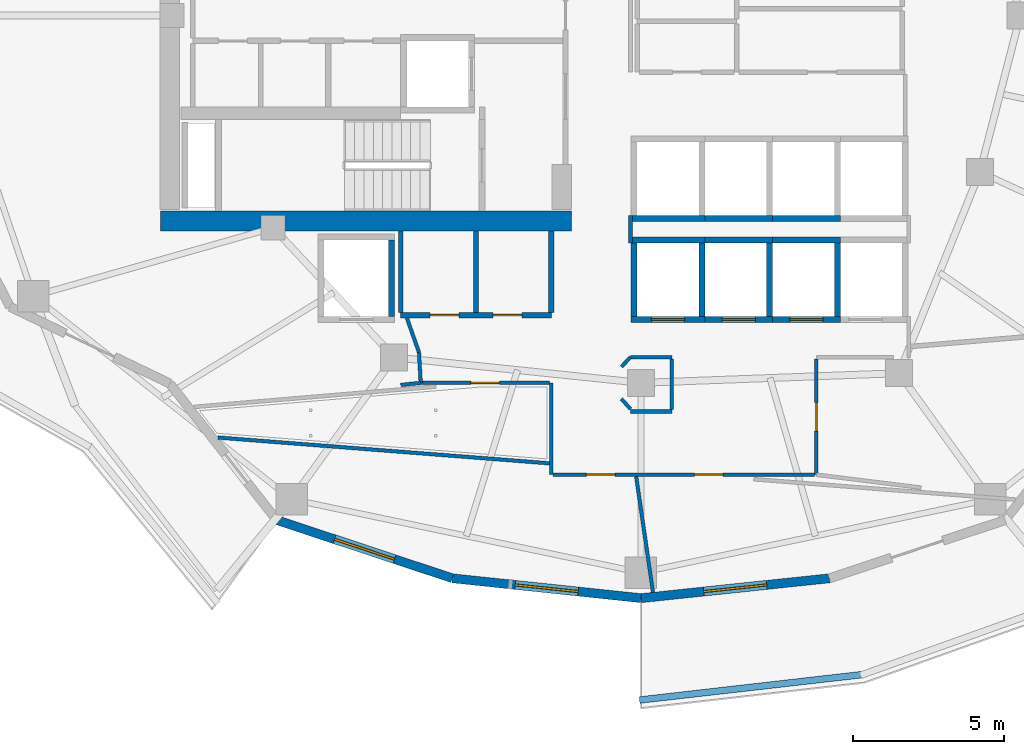
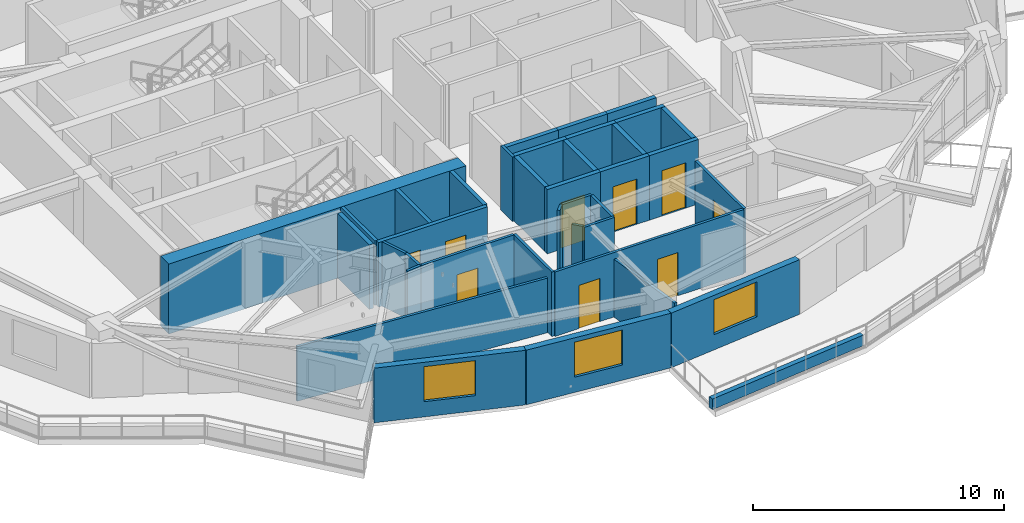
# One storey, part 6 of 18: 38 walls, 9 doors, 3 windows, 12 openings.
"""IFC4 building model written with IfcOpenShell, lengths in metres."""

from ifc_helpers import new_model, si_unit, direction, frame, frame_2d, origin, place, context, subcontext, project, spatial, rectangle, extrude, material, layer, layer_set, type_object, element, fill, save


model = new_model("IFC4")

# Units and contexts
model_context = context("Model", 3, precision=1e-05, world=origin(), true_north=direction((0.0, 1.0)))
body_context = subcontext(model_context, "Body", "Model", "MODEL_VIEW")
ifc_project = project(units=[si_unit("LENGTHUNIT", "METRE"), si_unit("AREAUNIT", "SQUARE_METRE"), si_unit("VOLUMEUNIT", "CUBIC_METRE"), si_unit("PLANEANGLEUNIT", "RADIAN"), si_unit("MASSUNIT", "GRAM", prefix="KILO")], contexts=[model_context])

# Site, building, storey
site_placement = place(None, origin())
site = spatial("IfcSite", under=ifc_project, at=site_placement, CompositionType="ELEMENT")
building_placement = place(site_placement, origin())
building = spatial("IfcBuilding", under=site, at=building_placement, Name="Kolvaren Gate Tower and Convention Centre", CompositionType="ELEMENT")
storey_placement = place(building_placement, frame((0.0, 0.0, 135.89990234375)))
storey = spatial("IfcBuildingStorey", under=building, at=storey_placement, Name="L34", CompositionType="ELEMENT", Elevation=135.89990234375)

# Wall, openings, doors
ifc_material_1 = material(Name="Autoclaved Aerated Masonry Blockwork Class 4 (4.0 MPa)", Category="masonry")
ifc_layer_1 = layer(ifc_material_1, 0.179931640625)
ifc_layer_set_1 = layer_set([ifc_layer_1], Name="Autoclaved Aerated Masonry Blockwork Class 4 (4.0 MPa)")
wall_type_1 = type_object("IfcWallType", Name="ARCH-WL-COMP-180", PredefinedType="SOLIDWALL", material=ifc_layer_set_1)
wall_1_placement = place(storey_placement, frame((22.14990234375, 17.050048828125, 0.0), z_axis=(0.0, 0.0, 1.0), x_axis=(1.0, 0.0, 0.0)))
wall_1 = element("IfcWall", 1, at=wall_1_placement, inside=storey, type_object=wall_type_1, Name="Interior Partition WL-L34-INT-011", PredefinedType="SOLIDWALL", context=body_context, shape_type="SweptSolid", body=[
    extrude(rectangle(XDim=5.0, YDim=0.179931640625, at=frame_2d((2.5, 0.0))), origin(), (0.0, 0.0, 1.0), 3.130126953125),
])
opening_1_placement = place(wall_1_placement, frame((0.97998046875, 0.0, 0.0)))
opening_1 = element("IfcOpeningElement", 2, at=opening_1_placement, cuts=wall_1, Name="Opening DR-01", PredefinedType="OPENING", context=body_context, shape_type="SweptSolid", body=[
    extrude(rectangle(XDim=0.949951171875, YDim=2.10009765625, at=frame_2d((0.47509765625, 1.050048828125))), frame((0.0, 0.099853515625, 0.0), z_axis=(0.0, -1.0, 0.0), x_axis=(1.0, 0.0, 0.0)), (0.0, 0.0, 1.0), 0.199951171875),
])
opening_2_placement = place(wall_1_placement, frame((3.070068359375, 0.0, 0.0)))
opening_2 = element("IfcOpeningElement", 3, at=opening_2_placement, cuts=wall_1, Name="Opening DR-01", PredefinedType="OPENING", context=body_context, shape_type="SweptSolid", body=[
    extrude(rectangle(XDim=0.949951171875, YDim=2.10009765625, at=frame_2d((0.47509765625, 1.050048828125))), frame((0.0, 0.099853515625, 0.0), z_axis=(0.0, -1.0, 0.0), x_axis=(1.0, 0.0, 0.0)), (0.0, 0.0, 1.0), 0.199951171875),
])
ifc_material_2 = material(Name="Painted Architectural Steelwork ASTM A500 Grade C 345 MPa", Category="steel")
door_type_1 = type_object("IfcDoorType", Name="ARCH-DR-RISER-950", OperationType="SINGLE_SWING_RIGHT", PredefinedType="DOOR", material=ifc_material_2)
door_1_placement = place(opening_1_placement, origin())
door_1 = element("IfcDoor", 4, at=door_1_placement, inside=storey, type_object=door_type_1, Name="West Valet Store Door", OperationType="SINGLE_SWING_RIGHT", OverallHeight=2.10009765625, OverallWidth=0.949951171875, PredefinedType="DOOR", context=body_context, shape_type="SweptSolid", body=[
    extrude(rectangle(XDim=0.949951171875, YDim=2.10009765625, at=frame_2d((0.47509765625, 1.050048828125))), frame((0.0, 0.02490234375, 0.0), z_axis=(0.0, -1.0, 0.0), x_axis=(1.0, 0.0, 0.0)), (0.0, 0.0, 1.0), 0.050048828125),
])
fill(opening_1, door_1)
door_2_placement = place(opening_2_placement, origin())
door_2 = element("IfcDoor", 5, at=door_2_placement, inside=storey, type_object=door_type_1, Name="Metering Switch Room Door", OperationType="SINGLE_SWING_LEFT", OverallHeight=2.10009765625, OverallWidth=0.949951171875, PredefinedType="DOOR", context=body_context, shape_type="SweptSolid", body=[
    extrude(rectangle(XDim=0.949951171875, YDim=2.10009765625, at=frame_2d((0.47509765625, 1.050048828125))), frame((0.0, 0.02490234375, 0.0), z_axis=(0.0, -1.0, 0.0), x_axis=(1.0, 0.0, 0.0)), (0.0, 0.0, 1.0), 0.050048828125),
])
fill(opening_2, door_2)

# Walls
for number, where, z_axis, x_axis, name in (
    (6, (24.64990234375, 17.14208984375, 0.0), (0.0, 0.0, 1.0), (0.0, 1.0, 0.0), "Interior Partition WL-L34-INT-013"),
    (7, (27.14990234375, 17.14208984375, 0.0), (0.0, 0.0, 1.0), (0.0, 1.0, 0.0), "Interior Partition WL-L34-INT-015"),
):
    element("IfcWall", number, at=place(storey_placement, frame(where, z_axis=z_axis, x_axis=x_axis)), inside=storey, type_object=wall_type_1, Name=name, PredefinedType="SOLIDWALL", context=body_context, shape_type="SweptSolid", body=[
        extrude(rectangle(XDim=2.705810546875, YDim=0.179931640625, at=frame_2d((1.35302734375, 0.0))), origin(), (0.0, 0.0, 1.0), 3.130126953125),
    ])
ifc_material_3 = material(Name="Fire-Rated Acoustic Gypsum Stud Partition", Category="gypsum")
ifc_layer_2 = layer(ifc_material_3, 0.1201171875)
ifc_layer_set_2 = layer_set([ifc_layer_2], Name="Fire-Rated Acoustic Gypsum Stud Partition")
wall_type_2 = type_object("IfcWallType", Name="ARCH-WL-PART-120", PredefinedType="PARTITIONING", material=ifc_layer_set_2)
wall_2_placement = place(storey_placement, frame((27.14990234375, 11.75, 0.0), z_axis=(0.0, 0.0, 1.0), x_axis=(0.0, 1.0, 0.0)))
element("IfcWall", 8, at=wall_2_placement, inside=storey, type_object=wall_type_2, Name="Interior Partition WL-L34-INT-014", PredefinedType="PARTITIONING", context=body_context, shape_type="SweptSolid", body=[
    extrude(rectangle(XDim=3.050048828125, YDim=0.1201171875, at=frame_2d((1.52490234375, 0.0))), origin(), (0.0, 0.0, 1.0), 3.130126953125),
])
wall_3_placement = place(storey_placement, frame((29.780029296875, 15.64990234375, 0.0), z_axis=(0.0, 0.0, 1.0), x_axis=(1.0, 0.0, 0.0)))
element("IfcWall", 9, at=wall_3_placement, inside=storey, type_object=wall_type_2, Name="Interior Partition WL-L34-INT-030", PredefinedType="PARTITIONING", context=body_context, shape_type="SweptSolid", body=[
    extrude(rectangle(XDim=1.369873046875, YDim=0.1201171875, at=frame_2d((0.68505859375, 0.0))), origin(), (0.0, 0.0, 1.0), 3.130126953125),
])

# Wall, opening, door
wall_4_placement = place(storey_placement, frame((35.949951171875, 11.75, 0.0), z_axis=(0.0, 0.0, 1.0), x_axis=(0.0, 1.0, 0.0)))
wall_4 = element("IfcWall", 10, at=wall_4_placement, inside=storey, type_object=wall_type_2, Name="Interior Partition WL-L34-INT-032", PredefinedType="PARTITIONING", context=body_context, shape_type="SweptSolid", body=[
    extrude(rectangle(XDim=3.837890625, YDim=0.1201171875, at=frame_2d((1.9189453125, 0.0))), origin(), (0.0, 0.0, 1.0), 3.130126953125),
])
opening_3_placement = place(wall_4_placement, frame((1.444091796875, 0.0, 0.0)))
opening_3 = element("IfcOpeningElement", 11, at=opening_3_placement, cuts=wall_4, Name="Opening DR-01", PredefinedType="OPENING", context=body_context, shape_type="SweptSolid", body=[
    extrude(rectangle(XDim=0.949951171875, YDim=2.10009765625, at=frame_2d((0.47509765625, 1.050048828125))), frame((0.0, 0.070068359375, 0.0), z_axis=(0.0, -1.0, 0.0), x_axis=(1.0, 0.0, 0.0)), (0.0, 0.0, 1.0), 0.14013671875),
])
door_3_placement = place(opening_3_placement, origin())
door_3 = element("IfcDoor", 12, at=door_3_placement, inside=storey, type_object=door_type_1, Name="Atrium Concierge Reception Door", OperationType="SINGLE_SWING_LEFT", OverallHeight=2.10009765625, OverallWidth=0.949951171875, PredefinedType="DOOR", context=body_context, shape_type="SweptSolid", body=[
    extrude(rectangle(XDim=0.949951171875, YDim=2.10009765625, at=frame_2d((0.47509765625, 1.050048828125))), frame((0.0, 0.02490234375, 0.0), z_axis=(0.0, -1.0, 0.0), x_axis=(1.0, 0.0, 0.0)), (0.0, 0.0, 1.0), 0.050048828125),
])
fill(opening_3, door_3)

# Wall, openings, doors
wall_5_placement = place(storey_placement, frame((27.2119140625, 11.75, 0.0), z_axis=(0.0, 0.0, 1.0), x_axis=(1.0, 0.0, 0.0)))
wall_5 = element("IfcWall", 13, at=wall_5_placement, inside=storey, type_object=wall_type_2, Name="Interior Partition WL-L34-INT-033", PredefinedType="PARTITIONING", context=body_context, shape_type="SweptSolid", body=[
    extrude(rectangle(XDim=8.676025390625, YDim=0.1201171875, at=frame_2d((4.337890625, 0.0))), origin(), (0.0, 0.0, 1.0), 3.130126953125),
])
opening_4_placement = place(wall_5_placement, frame((1.105224609375, 0.0, 0.0)))
opening_4 = element("IfcOpeningElement", 14, at=opening_4_placement, cuts=wall_5, Name="Opening DR-01", PredefinedType="OPENING", context=body_context, shape_type="SweptSolid", body=[
    extrude(rectangle(XDim=0.949951171875, YDim=2.10009765625, at=frame_2d((0.47509765625, 1.050048828125))), frame((0.0, 0.070068359375, 0.0), z_axis=(0.0, -1.0, 0.0), x_axis=(1.0, 0.0, 0.0)), (0.0, 0.0, 1.0), 0.14013671875),
])
opening_5_placement = place(wall_5_placement, frame((4.697509765625, 0.0, 0.0)))
opening_5 = element("IfcOpeningElement", 15, at=opening_5_placement, cuts=wall_5, Name="Opening DR-01", PredefinedType="OPENING", context=body_context, shape_type="SweptSolid", body=[
    extrude(rectangle(XDim=0.949951171875, YDim=2.10009765625, at=frame_2d((0.47509765625, 1.050048828125))), frame((0.0, 0.070068359375, 0.0), z_axis=(0.0, -1.0, 0.0), x_axis=(1.0, 0.0, 0.0)), (0.0, 0.0, 1.0), 0.14013671875),
])
door_4_placement = place(opening_4_placement, origin())
door_4 = element("IfcDoor", 16, at=door_4_placement, inside=storey, type_object=door_type_1, Name="Atrium Concierge Reception Door", OperationType="SINGLE_SWING_LEFT", OverallHeight=2.10009765625, OverallWidth=0.949951171875, PredefinedType="DOOR", context=body_context, shape_type="SweptSolid", body=[
    extrude(rectangle(XDim=0.949951171875, YDim=2.10009765625, at=frame_2d((0.47509765625, 1.050048828125))), frame((0.0, 0.02490234375, 0.0), z_axis=(0.0, -1.0, 0.0), x_axis=(1.0, 0.0, 0.0)), (0.0, 0.0, 1.0), 0.050048828125),
])
fill(opening_4, door_4)
door_5_placement = place(opening_5_placement, origin())
door_5 = element("IfcDoor", 17, at=door_5_placement, inside=storey, type_object=door_type_1, Name="Hotel Sky Banquet Salon Door", OperationType="SINGLE_SWING_RIGHT", OverallHeight=2.10009765625, OverallWidth=0.949951171875, PredefinedType="DOOR", context=body_context, shape_type="SweptSolid", body=[
    extrude(rectangle(XDim=0.949951171875, YDim=2.10009765625, at=frame_2d((0.47509765625, 1.050048828125))), frame((0.0, 0.02490234375, 0.0), z_axis=(0.0, -1.0, 0.0), x_axis=(1.0, 0.0, 0.0)), (0.0, 0.0, 1.0), 0.050048828125),
])
fill(opening_5, door_5)

# Wall, opening, door
wall_6_placement = place(storey_placement, frame((22.81396484375, 14.800048828125, 0.0), z_axis=(0.0, 0.0, 1.0), x_axis=(1.0, 0.0, 0.0)))
wall_6 = element("IfcWall", 18, at=wall_6_placement, inside=storey, type_object=wall_type_2, Name="Interior Partition WL-L34-INT-034", PredefinedType="PARTITIONING", context=body_context, shape_type="SweptSolid", body=[
    extrude(rectangle(XDim=4.27392578125, YDim=0.1201171875, at=frame_2d((2.136962890625, 0.0))), origin(), (0.0, 0.0, 1.0), 3.130126953125),
])
opening_6_placement = place(wall_6_placement, frame((1.662109375, 0.0, 0.0)))
opening_6 = element("IfcOpeningElement", 19, at=opening_6_placement, cuts=wall_6, Name="Opening DR-01", PredefinedType="OPENING", context=body_context, shape_type="SweptSolid", body=[
    extrude(rectangle(XDim=0.949951171875, YDim=2.10009765625, at=frame_2d((0.47509765625, 1.050048828125))), frame((0.0, 0.070068359375, 0.0), z_axis=(0.0, -1.0, 0.0), x_axis=(1.0, 0.0, 0.0)), (0.0, 0.0, 1.0), 0.14013671875),
])
door_6_placement = place(opening_6_placement, origin())
door_6 = element("IfcDoor", 20, at=door_6_placement, inside=storey, type_object=door_type_1, Name="Hotel Sky Banquet Salon Door", OperationType="SINGLE_SWING_RIGHT", OverallHeight=2.10009765625, OverallWidth=0.949951171875, PredefinedType="DOOR", context=body_context, shape_type="SweptSolid", body=[
    extrude(rectangle(XDim=0.949951171875, YDim=2.10009765625, at=frame_2d((0.47509765625, 1.050048828125))), frame((0.0, 0.02490234375, 0.0), z_axis=(0.0, -1.0, 0.0), x_axis=(1.0, 0.0, 0.0)), (0.0, 0.0, 1.0), 0.050048828125),
])
fill(opening_6, door_6)

# Walls
wall_7_placement = place(storey_placement, frame((22.756103515625, 15.81103515625, 0.0), z_axis=(0.0, 0.0, 1.0), x_axis=(0.057139047697, -0.998366230012, 0.0)))
element("IfcWall", 21, at=wall_7_placement, inside=storey, type_object=wall_type_2, Name="Interior Partition WL-L34-INT-036", PredefinedType="PARTITIONING", context=body_context, shape_type="SweptSolid", body=[
    extrude(rectangle(XDim=1.0126953125, YDim=0.1201171875, at=frame_2d((0.50634765625, 0.0))), origin(), (0.0, 0.0, 1.0), 3.130126953125),
])
wall_8_placement = place(storey_placement, frame((22.353271484375, 16.9580078125, 0.0), z_axis=(0.0, 0.0, 1.0), x_axis=(0.331370038458, -0.943500873138, 0.0)))
element("IfcWall", 22, at=wall_8_placement, inside=storey, type_object=wall_type_2, Name="Interior Partition WL-L34-INT-037", PredefinedType="PARTITIONING", context=body_context, shape_type="SweptSolid", body=[
    extrude(rectangle(XDim=1.215576171875, YDim=0.1201171875, at=frame_2d((0.60791015625, 0.0))), origin(), (0.0, 0.0, 1.0), 3.130126953125),
])
wall_9_placement = place(storey_placement, frame((29.780029296875, 19.43994140625, 0.0), z_axis=(0.0, 0.0, 1.0), x_axis=(0.0, 1.0, 0.0)))
element("IfcWall", 23, at=wall_9_placement, inside=storey, type_object=wall_type_2, Name="Interior Partition WL-L34-INT-040", PredefinedType="PARTITIONING", context=body_context, shape_type="SweptSolid", body=[
    extrude(rectangle(XDim=0.920166015625, YDim=0.1201171875, at=frame_2d((0.4599609375, 0.0))), origin(), (0.0, 0.0, 1.0), 3.130126953125),
])
wall_10_placement = place(storey_placement, frame((29.47607421875, 15.3330078125, 0.0), z_axis=(0.0, 0.0, 1.0), x_axis=(0.692219273951, 0.721687243043, 0.0)))
element("IfcWall", 24, at=wall_10_placement, inside=storey, type_object=wall_type_2, Name="Interior Partition WL-L34-INT-056", PredefinedType="PARTITIONING", context=body_context, shape_type="SweptSolid", body=[
    extrude(rectangle(XDim=0.439208984375, YDim=0.1201171875, at=frame_2d((0.2197265625, 0.0))), origin(), (0.0, 0.0, 1.0), 3.130126953125),
])
wall_11_placement = place(storey_placement, frame((29.47607421875, 14.26708984375, 0.0), z_axis=(0.0, 0.0, 1.0), x_axis=(0.670659392016, -0.741765448037, 0.0)))
element("IfcWall", 25, at=wall_11_placement, inside=storey, type_object=wall_type_2, Name="Interior Partition WL-L34-INT-057", PredefinedType="PARTITIONING", context=body_context, shape_type="SweptSolid", body=[
    extrude(rectangle(XDim=0.453125, YDim=0.1201171875, at=frame_2d((0.2265625, 0.0))), origin(), (0.0, 0.0, 1.0), 3.130126953125),
])
wall_12_placement = place(storey_placement, frame((29.780029296875, 13.85009765625, 0.0), z_axis=(0.0, 0.0, 1.0), x_axis=(1.0, 0.0, 0.0)))
element("IfcWall", 26, at=wall_12_placement, inside=storey, type_object=wall_type_2, Name="Interior Partition WL-L34-INT-058", PredefinedType="PARTITIONING", context=body_context, shape_type="SweptSolid", body=[
    extrude(rectangle(XDim=1.369873046875, YDim=0.1201171875, at=frame_2d((0.68505859375, 0.0))), origin(), (0.0, 0.0, 1.0), 3.130126953125),
])
wall_13_placement = place(storey_placement, frame((31.14990234375, 13.912109375, 0.0), z_axis=(0.0, 0.0, 1.0), x_axis=(0.0, 1.0, 0.0)))
element("IfcWall", 27, at=wall_13_placement, inside=storey, type_object=wall_type_2, Name="Interior Partition WL-L34-INT-059", PredefinedType="PARTITIONING", context=body_context, shape_type="SweptSolid", body=[
    extrude(rectangle(XDim=1.67578125, YDim=0.1201171875, at=frame_2d((0.837890625, 0.0))), origin(), (0.0, 0.0, 1.0), 3.130126953125),
])
wall_14_placement = place(storey_placement, frame((16.07763671875, 12.984619140625, 0.0), z_axis=(0.0, 0.0, 1.0), x_axis=(0.996984897733, -0.077595835537, 0.0)))
element("IfcWall", 28, at=wall_14_placement, inside=storey, type_object=wall_type_2, Name="Interior Partition WL-L34-INT-062", PredefinedType="PARTITIONING", context=body_context, shape_type="SweptSolid", body=[
    extrude(rectangle(XDim=11.04345703125, YDim=0.1201171875, at=frame_2d((5.521728515625, 0.0))), origin(), (0.0, 0.0, 1.0), 2.653076171875),
])
wall_15_placement = place(storey_placement, frame((29.968994140625, 11.68798828125, 0.0), z_axis=(0.0, 0.0, 1.0), x_axis=(0.143603994305, -0.989635232204, 0.0)))
element("IfcWall", 29, at=wall_15_placement, inside=storey, type_object=wall_type_2, Name="Interior Partition WL-L34-INT-064", PredefinedType="PARTITIONING", context=body_context, shape_type="SweptSolid", body=[
    extrude(rectangle(XDim=3.883056640625, YDim=0.1201171875, at=frame_2d((1.94140625, 0.0))), origin(), (0.0, 0.0, 1.0), 2.81201171875),
])
wall_16_placement = place(storey_placement, frame((22.15087890625, 14.729736328125, 0.0), z_axis=(0.0, 0.0, 1.0), x_axis=(0.994424911767, 0.105447118774, 0.0)))
element("IfcWall", 30, at=wall_16_placement, inside=storey, type_object=wall_type_2, Name="Interior Partition WL-L34-INT-085", PredefinedType="PARTITIONING", context=body_context, shape_type="SweptSolid", body=[
    extrude(rectangle(XDim=0.666748046875, YDim=0.1201171875, at=frame_2d((0.33349609375, 0.0))), origin(), (0.0, 0.0, 1.0), 3.130126953125),
])
ifc_material_4 = material(Name="Piedmont Cream Honed Limestone Cladding", Category="masonry")
ifc_layer_3 = layer(ifc_material_4, 0.219970703125)
ifc_layer_set_3 = layer_set([ifc_layer_3], Name="Piedmont Cream Honed Limestone Cladding")
wall_type_3 = type_object("IfcWallType", Name="ARCH-WL-PLANTER-220", PredefinedType="PARAPET", material=ifc_layer_set_3)
wall_17_placement = place(storey_placement, frame((30.07958984375, 4.266357421875, 0.0), z_axis=(0.0, 0.0, 1.0), x_axis=(0.993527615836, 0.11359082961, 0.0)))
element("IfcWall", 31, at=wall_17_placement, inside=storey, type_object=wall_type_3, Name="Vertical-Forest Balcony Stone Planter Kerb PK-L34-3.1", PredefinedType="PARAPET", context=body_context, shape_type="SweptSolid", body=[
    extrude(rectangle(XDim=7.470947265625, YDim=0.219970703125, at=frame_2d((3.7353515625, 0.0))), origin(), (0.0, 0.0, 1.0), 0.52001953125),
])
ifc_layer_4 = layer(ifc_material_1, 0.199951171875)
ifc_layer_set_4 = layer_set([ifc_layer_4], Name="Autoclaved Aerated Masonry Blockwork Class 4 (4.0 MPa)")
wall_type_4 = type_object("IfcWallType", Name="ARCH-WL-SHAFT-200", PredefinedType="SOLIDWALL", material=ifc_layer_set_4)
wall_18_placement = place(storey_placement, frame((21.85009765625, 17.010009765625, 0.0), z_axis=(0.0, 0.0, 1.0), x_axis=(0.0, 1.0, 0.0)))
element("IfcWall", 32, at=wall_18_placement, inside=storey, type_object=wall_type_4, Name="Elevator SV-01 L34 Fire Shaft Wall E", PredefinedType="SOLIDWALL", context=body_context, shape_type="SweptSolid", body=[
    extrude(rectangle(XDim=2.530029296875, YDim=0.199951171875, at=frame_2d((1.26513671875, 0.0))), origin(), (0.0, 0.0, 1.0), 3.130126953125),
])
wall_19_placement = place(storey_placement, frame((29.800048828125, 19.550048828125, 0.0), z_axis=(0.0, 0.0, 1.0), x_axis=(1.0, 0.0, 0.0)))
element("IfcWall", 33, at=wall_19_placement, inside=storey, type_object=wall_type_4, Name="Elevator PL-05 L34 Fire Shaft Wall N", PredefinedType="SOLIDWALL", context=body_context, shape_type="SweptSolid", body=[
    extrude(rectangle(XDim=2.449951171875, YDim=0.199951171875, at=frame_2d((1.22509765625, 0.0))), origin(), (0.0, 0.0, 1.0), 3.130126953125),
])

# Wall, opening, door
wall_20_placement = place(storey_placement, frame((29.800048828125, 16.89990234375, 0.0), z_axis=(0.0, 0.0, 1.0), x_axis=(1.0, 0.0, 0.0)))
wall_20 = element("IfcWall", 34, at=wall_20_placement, inside=storey, type_object=wall_type_4, Name="Elevator PL-05 L34 Fire Shaft Wall S", PredefinedType="SOLIDWALL", context=body_context, shape_type="SweptSolid", body=[
    extrude(rectangle(XDim=2.449951171875, YDim=0.199951171875, at=frame_2d((1.22509765625, 0.0))), origin(), (0.0, 0.0, 1.0), 3.130126953125),
])
opening_7_placement = place(wall_20_placement, frame((0.675048828125, 0.0, 0.0)))
opening_7 = element("IfcOpeningElement", 35, at=opening_7_placement, cuts=wall_20, Name="Opening LD", PredefinedType="OPENING", context=body_context, shape_type="SweptSolid", body=[
    extrude(rectangle(XDim=1.10009765625, YDim=2.199951171875, at=frame_2d((0.550048828125, 1.10009765625))), frame((0.0, 0.10986328125, 0.0), z_axis=(0.0, -1.0, 0.0), x_axis=(1.0, 0.0, 0.0)), (0.0, 0.0, 1.0), 0.219970703125),
])
ifc_material_5 = material(Name="Brushed Stainless Steel Grade 316L", Category="steel")
door_type_2 = type_object("IfcDoorType", Name="ARCH-DR-LIFT-1100", OperationType="SLIDING_TO_LEFT", PredefinedType="DOOR", material=ifc_material_5)
door_7_placement = place(opening_7_placement, origin())
door_7 = element("IfcDoor", 36, at=door_7_placement, inside=storey, type_object=door_type_2, Name="Elevator PL-05 L34 Sliding Landing Door", OperationType="SLIDING_TO_LEFT", OverallHeight=2.199951171875, OverallWidth=1.10009765625, PredefinedType="DOOR", context=body_context, shape_type="SweptSolid", body=[
    extrude(rectangle(XDim=1.10009765625, YDim=2.199951171875, at=frame_2d((0.550048828125, 1.10009765625))), frame((0.0, 0.02490234375, 0.0), z_axis=(0.0, -1.0, 0.0), x_axis=(1.0, 0.0, 0.0)), (0.0, 0.0, 1.0), 0.050048828125),
])
fill(opening_7, door_7)

# Walls
for number, where, z_axis, x_axis, name in (
    (37, (29.89990234375, 17.010009765625, 0.0), (0.0, 0.0, 1.0), (0.0, 1.0, 0.0), "Elevator PL-05 L34 Fire Shaft Wall W"),
    (38, (32.14990234375, 17.010009765625, 0.0), (0.0, 0.0, 1.0), (0.0, 1.0, 0.0), "Elevator PL-05 L34 Fire Shaft Wall E"),
):
    element("IfcWall", number, at=place(storey_placement, frame(where, z_axis=z_axis, x_axis=x_axis)), inside=storey, type_object=wall_type_4, Name=name, PredefinedType="SOLIDWALL", context=body_context, shape_type="SweptSolid", body=[
        extrude(rectangle(XDim=2.429931640625, YDim=0.199951171875, at=frame_2d((1.21484375, 0.0))), origin(), (0.0, 0.0, 1.0), 3.130126953125),
    ])
wall_21_placement = place(storey_placement, frame((32.25, 19.550048828125, 0.0), z_axis=(0.0, 0.0, 1.0), x_axis=(1.0, 0.0, 0.0)))
element("IfcWall", 39, at=wall_21_placement, inside=storey, type_object=wall_type_4, Name="Elevator PL-06 L34 Fire Shaft Wall N", PredefinedType="SOLIDWALL", context=body_context, shape_type="SweptSolid", body=[
    extrude(rectangle(XDim=2.25, YDim=0.199951171875, at=frame_2d((1.125, 0.0))), origin(), (0.0, 0.0, 1.0), 3.130126953125),
])

# Wall, opening, door
wall_22_placement = place(storey_placement, frame((32.25, 16.89990234375, 0.0), z_axis=(0.0, 0.0, 1.0), x_axis=(1.0, 0.0, 0.0)))
wall_22 = element("IfcWall", 40, at=wall_22_placement, inside=storey, type_object=wall_type_4, Name="Elevator PL-06 L34 Fire Shaft Wall S", PredefinedType="SOLIDWALL", context=body_context, shape_type="SweptSolid", body=[
    extrude(rectangle(XDim=2.25, YDim=0.199951171875, at=frame_2d((1.125, 0.0))), origin(), (0.0, 0.0, 1.0), 3.130126953125),
])
opening_8_placement = place(wall_22_placement, frame((0.574951171875, 0.0, 0.0)))
opening_8 = element("IfcOpeningElement", 41, at=opening_8_placement, cuts=wall_22, Name="Opening LD", PredefinedType="OPENING", context=body_context, shape_type="SweptSolid", body=[
    extrude(rectangle(XDim=1.10009765625, YDim=2.199951171875, at=frame_2d((0.550048828125, 1.10009765625))), frame((0.0, 0.10986328125, 0.0), z_axis=(0.0, -1.0, 0.0), x_axis=(1.0, 0.0, 0.0)), (0.0, 0.0, 1.0), 0.219970703125),
])
door_8_placement = place(opening_8_placement, origin())
door_8 = element("IfcDoor", 42, at=door_8_placement, inside=storey, type_object=door_type_2, Name="Elevator PL-06 L34 Sliding Landing Door", OperationType="SLIDING_TO_LEFT", OverallHeight=2.199951171875, OverallWidth=1.10009765625, PredefinedType="DOOR", context=body_context, shape_type="SweptSolid", body=[
    extrude(rectangle(XDim=1.10009765625, YDim=2.199951171875, at=frame_2d((0.550048828125, 1.10009765625))), frame((0.0, 0.02490234375, 0.0), z_axis=(0.0, -1.0, 0.0), x_axis=(1.0, 0.0, 0.0)), (0.0, 0.0, 1.0), 0.050048828125),
])
fill(opening_8, door_8)

# Walls
wall_23_placement = place(storey_placement, frame((34.39990234375, 17.010009765625, 0.0), z_axis=(0.0, 0.0, 1.0), x_axis=(0.0, 1.0, 0.0)))
element("IfcWall", 43, at=wall_23_placement, inside=storey, type_object=wall_type_4, Name="Elevator PL-06 L34 Fire Shaft Wall E", PredefinedType="SOLIDWALL", context=body_context, shape_type="SweptSolid", body=[
    extrude(rectangle(XDim=2.429931640625, YDim=0.199951171875, at=frame_2d((1.21484375, 0.0))), origin(), (0.0, 0.0, 1.0), 3.130126953125),
])
wall_24_placement = place(storey_placement, frame((34.5, 19.550048828125, 0.0), z_axis=(0.0, 0.0, 1.0), x_axis=(1.0, 0.0, 0.0)))
element("IfcWall", 44, at=wall_24_placement, inside=storey, type_object=wall_type_4, Name="Elevator PL-07 L34 Fire Shaft Wall N", PredefinedType="SOLIDWALL", context=body_context, shape_type="SweptSolid", body=[
    extrude(rectangle(XDim=2.25, YDim=0.199951171875, at=frame_2d((1.125, 0.0))), origin(), (0.0, 0.0, 1.0), 3.130126953125),
])

# Wall, opening, door
wall_25_placement = place(storey_placement, frame((34.5, 16.89990234375, 0.0), z_axis=(0.0, 0.0, 1.0), x_axis=(1.0, 0.0, 0.0)))
wall_25 = element("IfcWall", 45, at=wall_25_placement, inside=storey, type_object=wall_type_4, Name="Elevator PL-07 L34 Fire Shaft Wall S", PredefinedType="SOLIDWALL", context=body_context, shape_type="SweptSolid", body=[
    extrude(rectangle(XDim=2.25, YDim=0.199951171875, at=frame_2d((1.125, 0.0))), origin(), (0.0, 0.0, 1.0), 3.130126953125),
])
opening_9_placement = place(wall_25_placement, frame((0.574951171875, 0.0, 0.0)))
opening_9 = element("IfcOpeningElement", 46, at=opening_9_placement, cuts=wall_25, Name="Opening LD", PredefinedType="OPENING", context=body_context, shape_type="SweptSolid", body=[
    extrude(rectangle(XDim=1.10009765625, YDim=2.199951171875, at=frame_2d((0.550048828125, 1.10009765625))), frame((0.0, 0.10986328125, 0.0), z_axis=(0.0, -1.0, 0.0), x_axis=(1.0, 0.0, 0.0)), (0.0, 0.0, 1.0), 0.219970703125),
])
door_9_placement = place(opening_9_placement, origin())
door_9 = element("IfcDoor", 47, at=door_9_placement, inside=storey, type_object=door_type_2, Name="Elevator PL-07 L34 Sliding Landing Door", OperationType="SLIDING_TO_LEFT", OverallHeight=2.199951171875, OverallWidth=1.10009765625, PredefinedType="DOOR", context=body_context, shape_type="SweptSolid", body=[
    extrude(rectangle(XDim=1.10009765625, YDim=2.199951171875, at=frame_2d((0.550048828125, 1.10009765625))), frame((0.0, 0.02490234375, 0.0), z_axis=(0.0, -1.0, 0.0), x_axis=(1.0, 0.0, 0.0)), (0.0, 0.0, 1.0), 0.050048828125),
])
fill(opening_9, door_9)

# Walls
wall_26_placement = place(storey_placement, frame((36.64990234375, 17.010009765625, 0.0), z_axis=(0.0, 0.0, 1.0), x_axis=(0.0, 1.0, 0.0)))
element("IfcWall", 48, at=wall_26_placement, inside=storey, type_object=wall_type_4, Name="Elevator PL-07 L34 Fire Shaft Wall E", PredefinedType="SOLIDWALL", context=body_context, shape_type="SweptSolid", body=[
    extrude(rectangle(XDim=2.429931640625, YDim=0.199951171875, at=frame_2d((1.21484375, 0.0))), origin(), (0.0, 0.0, 1.0), 3.130126953125),
])
wall_27_placement = place(storey_placement, frame((29.800048828125, 20.25, 0.0), z_axis=(0.0, 0.0, 1.0), x_axis=(1.0, 0.0, 0.0)))
element("IfcWall", 49, at=wall_27_placement, inside=storey, type_object=wall_type_4, Name="Elevator PL-09 L34 Fire Shaft Wall S", PredefinedType="SOLIDWALL", context=body_context, shape_type="SweptSolid", body=[
    extrude(rectangle(XDim=2.449951171875, YDim=0.199951171875, at=frame_2d((1.22509765625, 0.0))), origin(), (0.0, 0.0, 1.0), 3.130126953125),
])
for number, where, z_axis, x_axis, name in (
    (50, (32.25, 20.25, 0.0), (0.0, 0.0, 1.0), (1.0, 0.0, 0.0), "Elevator PL-10 L34 Fire Shaft Wall S"),
    (51, (34.5, 20.25, 0.0), (0.0, 0.0, 1.0), (1.0, 0.0, 0.0), "Elevator PL-11 L34 Fire Shaft Wall S"),
):
    element("IfcWall", number, at=place(storey_placement, frame(where, z_axis=z_axis, x_axis=x_axis)), inside=storey, type_object=wall_type_4, Name=name, PredefinedType="SOLIDWALL", context=body_context, shape_type="SweptSolid", body=[
        extrude(rectangle(XDim=2.25, YDim=0.199951171875, at=frame_2d((1.125, 0.0))), origin(), (0.0, 0.0, 1.0), 3.130126953125),
    ])

# Wall, opening, window
ifc_layer_5 = layer(ifc_material_4, 0.300048828125)
ifc_layer_set_5 = layer_set([ifc_layer_5], Name="Piedmont Cream Honed Limestone Cladding")
wall_type_5 = type_object("IfcWallType", Name="ARCH-WL-STONE-300", PredefinedType="SOLIDWALL", material=ifc_layer_set_5)
wall_28_placement = place(storey_placement, frame((18.03125, 10.242431640625, 0.0), z_axis=(0.0, 0.0, 1.0), x_axis=(0.949238009374, -0.314558741032, 0.0)))
wall_28 = element("IfcWall", 52, at=wall_28_placement, inside=storey, type_object=wall_type_5, Name="Tower L34 Honed Stone Spandrel Wall EW-16", PredefinedType="SOLIDWALL", context=body_context, shape_type="SweptSolid", body=[
    extrude(rectangle(XDim=6.1455078125, YDim=0.300048828125, at=frame_2d((3.07275390625, 0.0))), origin(), (0.0, 0.0, 1.0), 2.653076171875),
])
opening_10_placement = place(wall_28_placement, frame((2.02294921875, 0.0, 0.739990234375)))
opening_10 = element("IfcOpeningElement", 53, at=opening_10_placement, cuts=wall_28, Name="Opening W-02", PredefinedType="OPENING", context=body_context, shape_type="SweptSolid", body=[
    extrude(rectangle(XDim=2.10009765625, YDim=1.699951171875, at=frame_2d((1.050048828125, 0.85009765625))), frame((0.0, 0.159912109375, 0.0), z_axis=(0.0, -1.0, 0.0), x_axis=(1.0, 0.0, 0.0)), (0.0, 0.0, 1.0), 0.320068359375),
])
ifc_material_6 = material(Name="Low-E Triple Insulated Glazing Unit 44 mm", Category="glass")
window_type = type_object("IfcWindowType", Name="ARCH-WN-HTL-2100", PartitioningType="SINGLE_PANEL", PredefinedType="WINDOW", material=ifc_material_6)
window_1_placement = place(opening_10_placement, origin())
window_1 = element("IfcWindow", 54, at=window_1_placement, inside=storey, type_object=window_type, Name="Tower L34 Punched Stone Facade Window W-16", OverallHeight=1.699951171875, OverallWidth=2.10009765625, PartitioningType="SINGLE_PANEL", PredefinedType="WINDOW", context=body_context, shape_type="SweptSolid", body=[
    extrude(rectangle(XDim=2.10009765625, YDim=1.699951171875, at=frame_2d((1.050048828125, 0.85009765625))), frame((0.0, 0.030029296875, 0.0), z_axis=(0.0, -1.0, 0.0), x_axis=(1.0, 0.0, 0.0)), (0.0, 0.0, 1.0), 0.06005859375),
])
fill(opening_10, window_1)

wall_29_placement = place(storey_placement, frame((23.86474609375, 8.309326171875, 0.0), z_axis=(0.0, 0.0, 1.0), x_axis=(0.994498012394, -0.104755445421, 0.0)))
wall_29 = element("IfcWall", 55, at=wall_29_placement, inside=storey, type_object=wall_type_5, Name="Tower L34 Honed Stone Spandrel Wall EW-17", PredefinedType="SOLIDWALL", context=body_context, shape_type="SweptSolid", body=[
    extrude(rectangle(XDim=6.294921875, YDim=0.300048828125, at=frame_2d((3.1474609375, 0.0))), origin(), (0.0, 0.0, 1.0), 2.653076171875),
])
opening_11_placement = place(wall_29_placement, frame((2.096923828125, 0.0, 0.739990234375)))
opening_11 = element("IfcOpeningElement", 56, at=opening_11_placement, cuts=wall_29, Name="Opening W-02", PredefinedType="OPENING", context=body_context, shape_type="SweptSolid", body=[
    extrude(rectangle(XDim=2.10009765625, YDim=1.699951171875, at=frame_2d((1.050048828125, 0.85009765625))), frame((0.0, 0.159912109375, 0.0), z_axis=(0.0, -1.0, 0.0), x_axis=(1.0, 0.0, 0.0)), (0.0, 0.0, 1.0), 0.320068359375),
])
window_2_placement = place(opening_11_placement, origin())
window_2 = element("IfcWindow", 57, at=window_2_placement, inside=storey, type_object=window_type, Name="Tower L34 Punched Stone Facade Window W-17", OverallHeight=1.699951171875, OverallWidth=2.10009765625, PartitioningType="SINGLE_PANEL", PredefinedType="WINDOW", context=body_context, shape_type="SweptSolid", body=[
    extrude(rectangle(XDim=2.10009765625, YDim=1.699951171875, at=frame_2d((1.050048828125, 0.85009765625))), frame((0.0, 0.030029296875, 0.0), z_axis=(0.0, -1.0, 0.0), x_axis=(1.0, 0.0, 0.0)), (0.0, 0.0, 1.0), 0.06005859375),
])
fill(opening_11, window_2)

wall_30_placement = place(storey_placement, frame((30.125, 7.64990234375, 0.0), z_axis=(0.0, 0.0, 1.0), x_axis=(0.994498012394, 0.104755445421, 0.0)))
wall_30 = element("IfcWall", 58, at=wall_30_placement, inside=storey, type_object=wall_type_5, Name="Tower L34 Honed Stone Spandrel Wall EW-18", PredefinedType="SOLIDWALL", context=body_context, shape_type="SweptSolid", body=[
    extrude(rectangle(XDim=6.294921875, YDim=0.300048828125, at=frame_2d((3.1474609375, 0.0))), origin(), (0.0, 0.0, 1.0), 2.653076171875),
])
opening_12_placement = place(wall_30_placement, frame((2.096923828125, 0.0, 0.739990234375)))
opening_12 = element("IfcOpeningElement", 59, at=opening_12_placement, cuts=wall_30, Name="Opening W-02", PredefinedType="OPENING", context=body_context, shape_type="SweptSolid", body=[
    extrude(rectangle(XDim=2.10009765625, YDim=1.699951171875, at=frame_2d((1.050048828125, 0.85009765625))), frame((0.0, 0.159912109375, 0.0), z_axis=(0.0, -1.0, 0.0), x_axis=(1.0, 0.0, 0.0)), (0.0, 0.0, 1.0), 0.320068359375),
])
window_3_placement = place(opening_12_placement, origin())
window_3 = element("IfcWindow", 60, at=window_3_placement, inside=storey, type_object=window_type, Name="Tower L34 Punched Stone Facade Window W-18", OverallHeight=1.699951171875, OverallWidth=2.10009765625, PartitioningType="SINGLE_PANEL", PredefinedType="WINDOW", context=body_context, shape_type="SweptSolid", body=[
    extrude(rectangle(XDim=2.10009765625, YDim=1.699951171875, at=frame_2d((1.050048828125, 0.85009765625))), frame((0.0, 0.030029296875, 0.0), z_axis=(0.0, -1.0, 0.0), x_axis=(1.0, 0.0, 0.0)), (0.0, 0.0, 1.0), 0.06005859375),
])
fill(opening_12, window_3)

# Walls
ifc_material_7 = material(Name="Moisture-Resistant Cement-Board Acoustic Partition", Category="gypsum")
ifc_layer_6 = layer(ifc_material_7, 0.14990234375)
ifc_layer_set_6 = layer_set([ifc_layer_6], Name="Moisture-Resistant Cement-Board Acoustic Partition")
wall_type_6 = type_object("IfcWallType", Name="ARCH-WL-WET-150", PredefinedType="PARTITIONING", material=ifc_layer_set_6)
wall_31_placement = place(storey_placement, frame((22.14990234375, 17.14208984375, 0.0), z_axis=(0.0, 0.0, 1.0), x_axis=(0.0, 1.0, 0.0)))
element("IfcWall", 61, at=wall_31_placement, inside=storey, type_object=wall_type_6, Name="Interior Partition WL-L34-INT-012", PredefinedType="PARTITIONING", context=body_context, shape_type="SweptSolid", body=[
    extrude(rectangle(XDim=2.705810546875, YDim=0.14990234375, at=frame_2d((1.35302734375, 0.0))), origin(), (0.0, 0.0, 1.0), 3.130126953125),
])
ifc_material_8 = material(Name="Concrete C60/75", Category="concrete")
ifc_layer_7 = layer(ifc_material_8, 0.64990234375)
ifc_layer_set_7 = layer_set([ifc_layer_7], Name="Concrete C60/75")
wall_type_7 = type_object("IfcWallType", Name="STR-WL-CORE-650", PredefinedType="SHEAR", material=ifc_layer_set_7)
wall_32_placement = place(storey_placement, frame((14.175048828125, 20.175048828125, -0.27001953125), z_axis=(0.0, 0.0, 1.0), x_axis=(1.0, 0.0, 0.0)))
element("IfcWall", 62, at=wall_32_placement, inside=storey, type_object=wall_type_7, Name="Tower L34 Offset Core Shear Wall S", PredefinedType="SHEAR", context=body_context, shape_type="SweptSolid", body=[
    extrude(rectangle(XDim=13.64990234375, YDim=0.64990234375, at=frame_2d((6.824951171875, 0.0))), origin(), (0.0, 0.0, 1.0), 3.400146484375),
])

save(model, "model.ifc")
